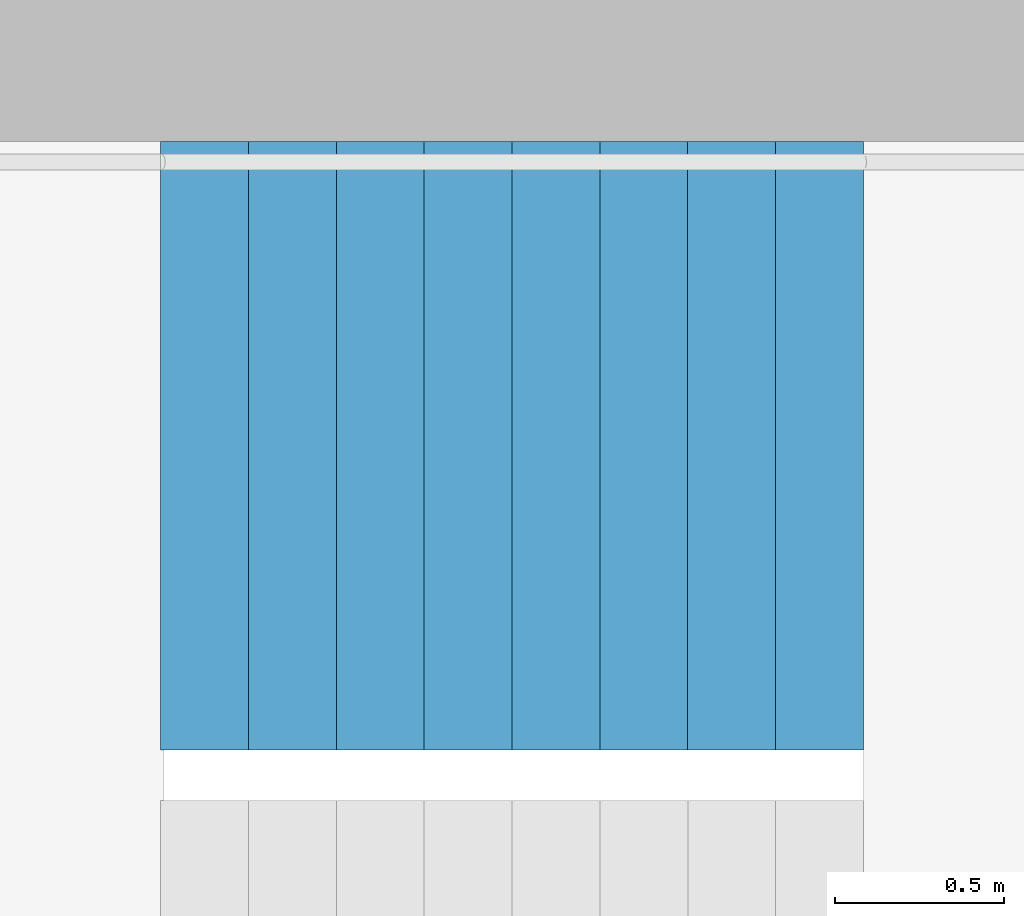
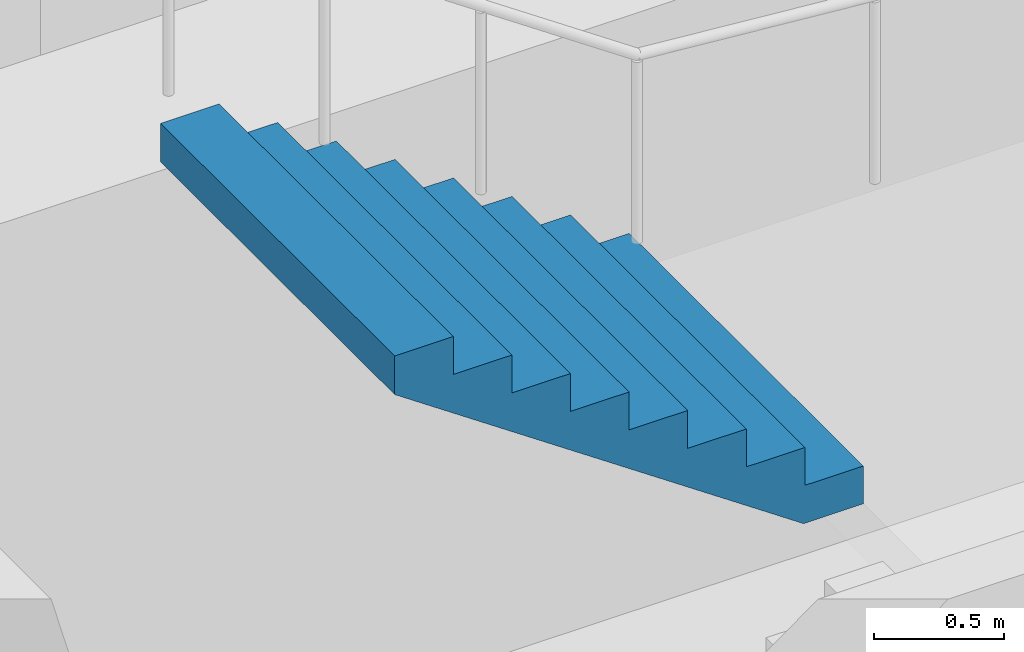
# One storey, part 23 of 35: 1 stair flight, 1 element without a shape of its own.
"""IFC4 building model written with IfcOpenShell, lengths in metres."""

from ifc_helpers import new_model, si_unit, direction, frame, origin, place, context, subcontext, project, spatial, triangles, material, type_object, element, aggregate, save


model = new_model("IFC4")

# Units and contexts
model_context = context("Model", 3, precision=1e-05, world=origin(), true_north=direction((0.0, 1.0)))
body_context = subcontext(model_context, "Body", "Model", "MODEL_VIEW")
ifc_project = project(units=[si_unit("LENGTHUNIT", "METRE"), si_unit("AREAUNIT", "SQUARE_METRE"), si_unit("VOLUMEUNIT", "CUBIC_METRE"), si_unit("PLANEANGLEUNIT", "RADIAN"), si_unit("MASSUNIT", "GRAM", prefix="KILO")], contexts=[model_context])

# Site, building, storey
site_placement = place(None, origin())
site = spatial("IfcSite", under=ifc_project, at=site_placement, CompositionType="ELEMENT")
building_placement = place(site_placement, origin())
building = spatial("IfcBuilding", under=site, at=building_placement, Name="Hakoniwa Tower and Hamabe Station Hall", CompositionType="ELEMENT")
storey_placement = place(building_placement, frame((0.0, 0.0, 51.800048828125)))
storey = spatial("IfcBuildingStorey", under=building, at=storey_placement, Name="L14", CompositionType="ELEMENT", Elevation=51.800048828125)

# Stair, stair flight
ifc_material_1 = material(Name="Concrete C40", Category="concrete")
stair_type = type_object("IfcStairType", Name="ESCAPE STAIR 1800", PredefinedType="HALF_TURN_STAIR", material=ifc_material_1)
stair_placement = place(storey_placement, origin())
stair = element("IfcStair", 1, at=stair_placement, inside=storey, type_object=stair_type, Name="Escape stair ST-1 L14", PredefinedType="HALF_TURN_STAIR")
ifc_material_2 = material(Name="Concrete C40", Category="concrete")
stair_flight_type = type_object("IfcStairFlightType", Name="STAIR FLIGHT 1800", PredefinedType="STRAIGHT", material=ifc_material_2)
stair_flight_placement = place(storey_placement, frame((-22.320068359375, 6.60009765625, 1.599853515625), z_axis=(0.0, 0.0, 1.0), x_axis=(-1.0, 0.0, 0.0)))
stair_flight = element("IfcStairFlight", 2, at=stair_flight_placement, type_object=stair_flight_type, Name="ST-1 flight 2", NumberOfRisers=9, NumberOfTreads=8, PredefinedType="STRAIGHT", RiserHeight=0.177777778, TreadLength=0.26, context=body_context, shape_type="Tessellation", body=[
    triangles([(0.0, 0.89990234375, 0.0), (0.260009765625, 0.89990234375, 0.0), (0.265625, 0.89990234375, 0.0), (0.52001953125, 0.89990234375, 0.174072265625), (0.780029296875, 0.89990234375, 0.351806640625), (1.0400390625, 0.89990234375, 0.529541015625), (1.300048828125, 0.89990234375, 0.707275390625), (1.56005859375, 0.89990234375, 0.885009765625), (1.820068359375, 0.89990234375, 1.062744140625), (2.080078125, 0.89990234375, 1.24072265625), (2.080078125, 0.89990234375, 1.422119140625), (1.820068359375, 0.89990234375, 1.422119140625), (1.820068359375, 0.89990234375, 1.244384765625), (1.56005859375, 0.89990234375, 1.244384765625), (1.56005859375, 0.89990234375, 1.066650390625), (1.300048828125, 0.89990234375, 1.066650390625), (1.300048828125, 0.89990234375, 0.888916015625), (1.0400390625, 0.89990234375, 0.888916015625), (1.0400390625, 0.89990234375, 0.711181640625), (0.780029296875, 0.89990234375, 0.711181640625), (0.780029296875, 0.89990234375, 0.533447265625), (0.52001953125, 0.89990234375, 0.533447265625), (0.52001953125, 0.89990234375, 0.35546875), (0.265625, 0.89990234375, 0.35546875), (0.260009765625, 0.89990234375, 0.35546875), (0.260009765625, 0.89990234375, 0.177734375), (0.0, 0.89990234375, 0.177734375), (0.0, 0.06005859375, 0.0), (0.260009765625, 0.06005859375, 0.0), (0.265625, 0.06005859375, 0.0), (0.52001953125, 0.06005859375, 0.174072265625), (0.780029296875, 0.06005859375, 0.351806640625), (1.0400390625, 0.06005859375, 0.529541015625), (1.300048828125, 0.06005859375, 0.707275390625), (1.56005859375, 0.06005859375, 0.885009765625), (1.820068359375, 0.06005859375, 1.062744140625), (2.080078125, 0.06005859375, 1.24072265625), (2.080078125, 0.06005859375, 1.422119140625), (1.820068359375, 0.06005859375, 1.422119140625), (1.820068359375, 0.06005859375, 1.244384765625), (1.56005859375, 0.06005859375, 1.244384765625), (1.56005859375, 0.06005859375, 1.066650390625), (1.300048828125, 0.06005859375, 1.066650390625), (1.300048828125, 0.06005859375, 0.888916015625), (1.0400390625, 0.06005859375, 0.888916015625), (1.0400390625, 0.06005859375, 0.711181640625), (0.780029296875, 0.06005859375, 0.711181640625), (0.780029296875, 0.06005859375, 0.533447265625), (0.52001953125, 0.06005859375, 0.533447265625), (0.52001953125, 0.06005859375, 0.35546875), (0.265625, 0.06005859375, 0.35546875), (0.260009765625, 0.06005859375, 0.35546875), (0.260009765625, 0.06005859375, 0.177734375), (0.0, 0.06005859375, 0.177734375), (0.0, 0.04296875, 0.0), (0.260009765625, 0.04296875, 0.0), (0.265625, 0.04296875, 0.0), (0.52001953125, 0.04296875, 0.174072265625), (0.780029296875, 0.04296875, 0.351806640625), (1.0400390625, 0.04296875, 0.529541015625), (1.300048828125, 0.04296875, 0.707275390625), (1.56005859375, 0.04296875, 0.885009765625), (1.820068359375, 0.04296875, 1.062744140625), (2.080078125, 0.04296875, 1.24072265625), (2.080078125, 0.04296875, 1.422119140625), (1.820068359375, 0.04296875, 1.422119140625), (1.820068359375, 0.04296875, 1.244384765625), (1.56005859375, 0.04296875, 1.244384765625), (1.56005859375, 0.04296875, 1.066650390625), (1.300048828125, 0.04296875, 1.066650390625), (1.300048828125, 0.04296875, 0.888916015625), (1.0400390625, 0.04296875, 0.888916015625), (1.0400390625, 0.04296875, 0.711181640625), (0.780029296875, 0.04296875, 0.711181640625), (0.780029296875, 0.04296875, 0.533447265625), (0.52001953125, 0.04296875, 0.533447265625), (0.52001953125, 0.04296875, 0.35546875), (0.265625, 0.04296875, 0.35546875), (0.260009765625, 0.04296875, 0.35546875), (0.260009765625, 0.04296875, 0.177734375), (0.0, 0.04296875, 0.177734375), (0.0, 0.025634765625, 0.0), (0.260009765625, 0.025634765625, 0.0), (0.265625, 0.025634765625, 0.0), (0.52001953125, 0.025634765625, 0.174072265625), (0.780029296875, 0.025634765625, 0.351806640625), (1.0400390625, 0.025634765625, 0.529541015625), (1.300048828125, 0.025634765625, 0.707275390625), (1.56005859375, 0.025634765625, 0.885009765625), (1.820068359375, 0.025634765625, 1.062744140625), (2.080078125, 0.025634765625, 1.24072265625), (2.080078125, 0.025634765625, 1.422119140625), (1.820068359375, 0.025634765625, 1.422119140625), (1.820068359375, 0.025634765625, 1.244384765625), (1.56005859375, 0.025634765625, 1.244384765625), (1.56005859375, 0.025634765625, 1.066650390625), (1.300048828125, 0.025634765625, 1.066650390625), (1.300048828125, 0.025634765625, 0.888916015625), (1.0400390625, 0.025634765625, 0.888916015625), (1.0400390625, 0.025634765625, 0.711181640625), (0.780029296875, 0.025634765625, 0.711181640625), (0.780029296875, 0.025634765625, 0.533447265625), (0.52001953125, 0.025634765625, 0.533447265625), (0.52001953125, 0.025634765625, 0.35546875), (0.265625, 0.025634765625, 0.35546875), (0.260009765625, 0.025634765625, 0.35546875), (0.260009765625, 0.025634765625, 0.177734375), (0.0, 0.025634765625, 0.177734375), (0.0, 0.008544921875, 0.0), (0.260009765625, 0.008544921875, 0.0), (0.265625, 0.008544921875, 0.0), (0.52001953125, 0.008544921875, 0.174072265625), (0.780029296875, 0.008544921875, 0.351806640625), (1.0400390625, 0.008544921875, 0.529541015625), (1.300048828125, 0.008544921875, 0.707275390625), (1.56005859375, 0.008544921875, 0.885009765625), (1.820068359375, 0.008544921875, 1.062744140625), (2.080078125, 0.008544921875, 1.24072265625), (2.080078125, 0.008544921875, 1.422119140625), (1.820068359375, 0.008544921875, 1.422119140625), (1.820068359375, 0.008544921875, 1.244384765625), (1.56005859375, 0.008544921875, 1.244384765625), (1.56005859375, 0.008544921875, 1.066650390625), (1.300048828125, 0.008544921875, 1.066650390625), (1.300048828125, 0.008544921875, 0.888916015625), (1.0400390625, 0.008544921875, 0.888916015625), (1.0400390625, 0.008544921875, 0.711181640625), (0.780029296875, 0.008544921875, 0.711181640625), (0.780029296875, 0.008544921875, 0.533447265625), (0.52001953125, 0.008544921875, 0.533447265625), (0.52001953125, 0.008544921875, 0.35546875), (0.265625, 0.008544921875, 0.35546875), (0.260009765625, 0.008544921875, 0.35546875), (0.260009765625, 0.008544921875, 0.177734375), (0.0, 0.008544921875, 0.177734375), (0.0, -0.008544921875, 0.0), (0.260009765625, -0.008544921875, 0.0), (0.265625, -0.008544921875, 0.0), (0.52001953125, -0.008544921875, 0.174072265625), (0.780029296875, -0.008544921875, 0.351806640625), (1.0400390625, -0.008544921875, 0.529541015625), (1.300048828125, -0.008544921875, 0.707275390625), (1.56005859375, -0.008544921875, 0.885009765625), (1.820068359375, -0.008544921875, 1.062744140625), (2.080078125, -0.008544921875, 1.24072265625), (2.080078125, -0.008544921875, 1.422119140625), (1.820068359375, -0.008544921875, 1.422119140625), (1.820068359375, -0.008544921875, 1.244384765625), (1.56005859375, -0.008544921875, 1.244384765625), (1.56005859375, -0.008544921875, 1.066650390625), (1.300048828125, -0.008544921875, 1.066650390625), (1.300048828125, -0.008544921875, 0.888916015625), (1.0400390625, -0.008544921875, 0.888916015625), (1.0400390625, -0.008544921875, 0.711181640625), (0.780029296875, -0.008544921875, 0.711181640625), (0.780029296875, -0.008544921875, 0.533447265625), (0.52001953125, -0.008544921875, 0.533447265625), (0.52001953125, -0.008544921875, 0.35546875), (0.265625, -0.008544921875, 0.35546875), (0.260009765625, -0.008544921875, 0.35546875), (0.260009765625, -0.008544921875, 0.177734375), (0.0, -0.008544921875, 0.177734375), (0.0, -0.025634765625, 0.0), (0.260009765625, -0.025634765625, 0.0), (0.265625, -0.025634765625, 0.0), (0.52001953125, -0.025634765625, 0.174072265625), (0.780029296875, -0.025634765625, 0.351806640625), (1.0400390625, -0.025634765625, 0.529541015625), (1.300048828125, -0.025634765625, 0.707275390625), (1.56005859375, -0.025634765625, 0.885009765625), (1.820068359375, -0.025634765625, 1.062744140625), (2.080078125, -0.025634765625, 1.24072265625), (2.080078125, -0.025634765625, 1.422119140625), (1.820068359375, -0.025634765625, 1.422119140625), (1.820068359375, -0.025634765625, 1.244384765625), (1.56005859375, -0.025634765625, 1.244384765625), (1.56005859375, -0.025634765625, 1.066650390625), (1.300048828125, -0.025634765625, 1.066650390625), (1.300048828125, -0.025634765625, 0.888916015625), (1.0400390625, -0.025634765625, 0.888916015625), (1.0400390625, -0.025634765625, 0.711181640625), (0.780029296875, -0.025634765625, 0.711181640625), (0.780029296875, -0.025634765625, 0.533447265625), (0.52001953125, -0.025634765625, 0.533447265625), (0.52001953125, -0.025634765625, 0.35546875), (0.265625, -0.025634765625, 0.35546875), (0.260009765625, -0.025634765625, 0.35546875), (0.260009765625, -0.025634765625, 0.177734375), (0.0, -0.025634765625, 0.177734375), (0.0, -0.04296875, 0.0), (0.260009765625, -0.04296875, 0.0), (0.265625, -0.04296875, 0.0), (0.52001953125, -0.04296875, 0.174072265625), (0.780029296875, -0.04296875, 0.351806640625), (1.0400390625, -0.04296875, 0.529541015625), (1.300048828125, -0.04296875, 0.707275390625), (1.56005859375, -0.04296875, 0.885009765625), (1.820068359375, -0.04296875, 1.062744140625), (2.080078125, -0.04296875, 1.24072265625), (2.080078125, -0.04296875, 1.422119140625), (1.820068359375, -0.04296875, 1.422119140625), (1.820068359375, -0.04296875, 1.244384765625), (1.56005859375, -0.04296875, 1.244384765625), (1.56005859375, -0.04296875, 1.066650390625), (1.300048828125, -0.04296875, 1.066650390625), (1.300048828125, -0.04296875, 0.888916015625), (1.0400390625, -0.04296875, 0.888916015625), (1.0400390625, -0.04296875, 0.711181640625), (0.780029296875, -0.04296875, 0.711181640625), (0.780029296875, -0.04296875, 0.533447265625), (0.52001953125, -0.04296875, 0.533447265625), (0.52001953125, -0.04296875, 0.35546875), (0.265625, -0.04296875, 0.35546875), (0.260009765625, -0.04296875, 0.35546875), (0.260009765625, -0.04296875, 0.177734375), (0.0, -0.04296875, 0.177734375), (0.0, -0.06005859375, 0.0), (0.260009765625, -0.06005859375, 0.0), (0.265625, -0.06005859375, 0.0), (0.52001953125, -0.06005859375, 0.174072265625), (0.780029296875, -0.06005859375, 0.351806640625), (1.0400390625, -0.06005859375, 0.529541015625), (1.300048828125, -0.06005859375, 0.707275390625), (1.56005859375, -0.06005859375, 0.885009765625), (1.820068359375, -0.06005859375, 1.062744140625), (2.080078125, -0.06005859375, 1.24072265625), (2.080078125, -0.06005859375, 1.422119140625), (1.820068359375, -0.06005859375, 1.422119140625), (1.820068359375, -0.06005859375, 1.244384765625), (1.56005859375, -0.06005859375, 1.244384765625), (1.56005859375, -0.06005859375, 1.066650390625), (1.300048828125, -0.06005859375, 1.066650390625), (1.300048828125, -0.06005859375, 0.888916015625), (1.0400390625, -0.06005859375, 0.888916015625), (1.0400390625, -0.06005859375, 0.711181640625), (0.780029296875, -0.06005859375, 0.711181640625), (0.780029296875, -0.06005859375, 0.533447265625), (0.52001953125, -0.06005859375, 0.533447265625), (0.52001953125, -0.06005859375, 0.35546875), (0.265625, -0.06005859375, 0.35546875), (0.260009765625, -0.06005859375, 0.35546875), (0.260009765625, -0.06005859375, 0.177734375), (0.0, -0.06005859375, 0.177734375), (0.0, -0.89990234375, 0.0), (0.260009765625, -0.89990234375, 0.0), (0.265625, -0.89990234375, 0.0), (0.52001953125, -0.89990234375, 0.174072265625), (0.780029296875, -0.89990234375, 0.351806640625), (1.0400390625, -0.89990234375, 0.529541015625), (1.300048828125, -0.89990234375, 0.707275390625), (1.56005859375, -0.89990234375, 0.885009765625), (1.820068359375, -0.89990234375, 1.062744140625), (2.080078125, -0.89990234375, 1.24072265625), (2.080078125, -0.89990234375, 1.422119140625), (1.820068359375, -0.89990234375, 1.422119140625), (1.820068359375, -0.89990234375, 1.244384765625), (1.56005859375, -0.89990234375, 1.244384765625), (1.56005859375, -0.89990234375, 1.066650390625), (1.300048828125, -0.89990234375, 1.066650390625), (1.300048828125, -0.89990234375, 0.888916015625), (1.0400390625, -0.89990234375, 0.888916015625), (1.0400390625, -0.89990234375, 0.711181640625), (0.780029296875, -0.89990234375, 0.711181640625), (0.780029296875, -0.89990234375, 0.533447265625), (0.52001953125, -0.89990234375, 0.533447265625), (0.52001953125, -0.89990234375, 0.35546875), (0.265625, -0.89990234375, 0.35546875), (0.260009765625, -0.89990234375, 0.35546875), (0.260009765625, -0.89990234375, 0.177734375), (0.0, -0.89990234375, 0.177734375)], [[2, 27, 26], [245, 269, 270], [2, 1, 27], [245, 270, 244], [3, 25, 24], [246, 267, 268], [3, 26, 25], [246, 268, 269], [3, 2, 26], [246, 269, 245], [4, 24, 23], [247, 266, 267], [4, 3, 24], [247, 267, 246], [5, 22, 21], [248, 264, 265], [5, 23, 22], [248, 265, 266], [5, 4, 23], [248, 266, 247], [6, 20, 19], [249, 262, 263], [6, 21, 20], [249, 263, 264], [6, 5, 21], [249, 264, 248], [7, 18, 17], [250, 260, 261], [7, 19, 18], [250, 261, 262], [7, 6, 19], [250, 262, 249], [8, 16, 15], [251, 258, 259], [8, 17, 16], [251, 259, 260], [8, 7, 17], [251, 260, 250], [9, 14, 13], [252, 256, 257], [9, 15, 14], [252, 257, 258], [9, 8, 15], [252, 258, 251], [10, 12, 11], [253, 254, 255], [10, 13, 12], [253, 255, 256], [10, 9, 13], [253, 256, 252], [1, 2, 29], [1, 29, 28], [28, 29, 56], [28, 56, 55], [55, 56, 83], [55, 83, 82], [82, 83, 110], [82, 110, 109], [109, 110, 137], [109, 137, 136], [136, 137, 164], [136, 164, 163], [163, 164, 191], [163, 191, 190], [190, 191, 218], [190, 218, 217], [217, 218, 245], [217, 245, 244], [2, 3, 30], [2, 30, 29], [29, 30, 57], [29, 57, 56], [56, 57, 84], [56, 84, 83], [83, 84, 111], [83, 111, 110], [110, 111, 138], [110, 138, 137], [137, 138, 165], [137, 165, 164], [164, 165, 192], [164, 192, 191], [191, 192, 219], [191, 219, 218], [218, 219, 246], [218, 246, 245], [3, 4, 31], [3, 31, 30], [30, 31, 58], [30, 58, 57], [57, 58, 85], [57, 85, 84], [84, 85, 112], [84, 112, 111], [111, 112, 139], [111, 139, 138], [138, 139, 166], [138, 166, 165], [165, 166, 193], [165, 193, 192], [192, 193, 220], [192, 220, 219], [219, 220, 247], [219, 247, 246], [4, 5, 32], [4, 32, 31], [31, 32, 59], [31, 59, 58], [58, 59, 86], [58, 86, 85], [85, 86, 113], [85, 113, 112], [112, 113, 140], [112, 140, 139], [139, 140, 167], [139, 167, 166], [166, 167, 194], [166, 194, 193], [193, 194, 221], [193, 221, 220], [220, 221, 248], [220, 248, 247], [5, 6, 33], [5, 33, 32], [32, 33, 60], [32, 60, 59], [59, 60, 87], [59, 87, 86], [86, 87, 114], [86, 114, 113], [113, 114, 141], [113, 141, 140], [140, 141, 168], [140, 168, 167], [167, 168, 195], [167, 195, 194], [194, 195, 222], [194, 222, 221], [221, 222, 249], [221, 249, 248], [6, 7, 34], [6, 34, 33], [33, 34, 61], [33, 61, 60], [60, 61, 88], [60, 88, 87], [87, 88, 115], [87, 115, 114], [114, 115, 142], [114, 142, 141], [141, 142, 169], [141, 169, 168], [168, 169, 196], [168, 196, 195], [195, 196, 223], [195, 223, 222], [222, 223, 250], [222, 250, 249], [7, 8, 35], [7, 35, 34], [34, 35, 62], [34, 62, 61], [61, 62, 89], [61, 89, 88], [88, 89, 116], [88, 116, 115], [115, 116, 143], [115, 143, 142], [142, 143, 170], [142, 170, 169], [169, 170, 197], [169, 197, 196], [196, 197, 224], [196, 224, 223], [223, 224, 251], [223, 251, 250], [8, 9, 36], [8, 36, 35], [35, 36, 63], [35, 63, 62], [62, 63, 90], [62, 90, 89], [89, 90, 117], [89, 117, 116], [116, 117, 144], [116, 144, 143], [143, 144, 171], [143, 171, 170], [170, 171, 198], [170, 198, 197], [197, 198, 225], [197, 225, 224], [224, 225, 252], [224, 252, 251], [9, 10, 37], [9, 37, 36], [36, 37, 64], [36, 64, 63], [63, 64, 91], [63, 91, 90], [90, 91, 118], [90, 118, 117], [117, 118, 145], [117, 145, 144], [144, 145, 172], [144, 172, 171], [171, 172, 199], [171, 199, 198], [198, 199, 226], [198, 226, 225], [225, 226, 253], [225, 253, 252], [10, 11, 38], [10, 38, 37], [37, 38, 65], [37, 65, 64], [64, 65, 92], [64, 92, 91], [91, 92, 119], [91, 119, 118], [118, 119, 146], [118, 146, 145], [145, 146, 173], [145, 173, 172], [172, 173, 200], [172, 200, 199], [199, 200, 227], [199, 227, 226], [226, 227, 254], [226, 254, 253], [11, 12, 39], [11, 39, 38], [38, 39, 66], [38, 66, 65], [65, 66, 93], [65, 93, 92], [92, 93, 120], [92, 120, 119], [119, 120, 147], [119, 147, 146], [146, 147, 174], [146, 174, 173], [173, 174, 201], [173, 201, 200], [200, 201, 228], [200, 228, 227], [227, 228, 255], [227, 255, 254], [12, 13, 40], [12, 40, 39], [39, 40, 67], [39, 67, 66], [66, 67, 94], [66, 94, 93], [93, 94, 121], [93, 121, 120], [120, 121, 148], [120, 148, 147], [147, 148, 175], [147, 175, 174], [174, 175, 202], [174, 202, 201], [201, 202, 229], [201, 229, 228], [228, 229, 256], [228, 256, 255], [13, 14, 41], [13, 41, 40], [40, 41, 68], [40, 68, 67], [67, 68, 95], [67, 95, 94], [94, 95, 122], [94, 122, 121], [121, 122, 149], [121, 149, 148], [148, 149, 176], [148, 176, 175], [175, 176, 203], [175, 203, 202], [202, 203, 230], [202, 230, 229], [229, 230, 257], [229, 257, 256], [14, 15, 42], [14, 42, 41], [41, 42, 69], [41, 69, 68], [68, 69, 96], [68, 96, 95], [95, 96, 123], [95, 123, 122], [122, 123, 150], [122, 150, 149], [149, 150, 177], [149, 177, 176], [176, 177, 204], [176, 204, 203], [203, 204, 231], [203, 231, 230], [230, 231, 258], [230, 258, 257], [15, 16, 43], [15, 43, 42], [42, 43, 70], [42, 70, 69], [69, 70, 97], [69, 97, 96], [96, 97, 124], [96, 124, 123], [123, 124, 151], [123, 151, 150], [150, 151, 178], [150, 178, 177], [177, 178, 205], [177, 205, 204], [204, 205, 232], [204, 232, 231], [231, 232, 259], [231, 259, 258], [16, 17, 44], [16, 44, 43], [43, 44, 71], [43, 71, 70], [70, 71, 98], [70, 98, 97], [97, 98, 125], [97, 125, 124], [124, 125, 152], [124, 152, 151], [151, 152, 179], [151, 179, 178], [178, 179, 206], [178, 206, 205], [205, 206, 233], [205, 233, 232], [232, 233, 260], [232, 260, 259], [17, 18, 45], [17, 45, 44], [44, 45, 72], [44, 72, 71], [71, 72, 99], [71, 99, 98], [98, 99, 126], [98, 126, 125], [125, 126, 153], [125, 153, 152], [152, 153, 180], [152, 180, 179], [179, 180, 207], [179, 207, 206], [206, 207, 234], [206, 234, 233], [233, 234, 261], [233, 261, 260], [18, 19, 46], [18, 46, 45], [45, 46, 73], [45, 73, 72], [72, 73, 100], [72, 100, 99], [99, 100, 127], [99, 127, 126], [126, 127, 154], [126, 154, 153], [153, 154, 181], [153, 181, 180], [180, 181, 208], [180, 208, 207], [207, 208, 235], [207, 235, 234], [234, 235, 262], [234, 262, 261], [19, 20, 47], [19, 47, 46], [46, 47, 74], [46, 74, 73], [73, 74, 101], [73, 101, 100], [100, 101, 128], [100, 128, 127], [127, 128, 155], [127, 155, 154], [154, 155, 182], [154, 182, 181], [181, 182, 209], [181, 209, 208], [208, 209, 236], [208, 236, 235], [235, 236, 263], [235, 263, 262], [20, 21, 48], [20, 48, 47], [47, 48, 75], [47, 75, 74], [74, 75, 102], [74, 102, 101], [101, 102, 129], [101, 129, 128], [128, 129, 156], [128, 156, 155], [155, 156, 183], [155, 183, 182], [182, 183, 210], [182, 210, 209], [209, 210, 237], [209, 237, 236], [236, 237, 264], [236, 264, 263], [21, 22, 49], [21, 49, 48], [48, 49, 76], [48, 76, 75], [75, 76, 103], [75, 103, 102], [102, 103, 130], [102, 130, 129], [129, 130, 157], [129, 157, 156], [156, 157, 184], [156, 184, 183], [183, 184, 211], [183, 211, 210], [210, 211, 238], [210, 238, 237], [237, 238, 265], [237, 265, 264], [22, 23, 50], [22, 50, 49], [49, 50, 77], [49, 77, 76], [76, 77, 104], [76, 104, 103], [103, 104, 131], [103, 131, 130], [130, 131, 158], [130, 158, 157], [157, 158, 185], [157, 185, 184], [184, 185, 212], [184, 212, 211], [211, 212, 239], [211, 239, 238], [238, 239, 266], [238, 266, 265], [23, 24, 51], [23, 51, 50], [50, 51, 78], [50, 78, 77], [77, 78, 105], [77, 105, 104], [104, 105, 132], [104, 132, 131], [131, 132, 159], [131, 159, 158], [158, 159, 186], [158, 186, 185], [185, 186, 213], [185, 213, 212], [212, 213, 240], [212, 240, 239], [239, 240, 267], [239, 267, 266], [24, 25, 52], [24, 52, 51], [51, 52, 79], [51, 79, 78], [78, 79, 106], [78, 106, 105], [105, 106, 133], [105, 133, 132], [132, 133, 160], [132, 160, 159], [159, 160, 187], [159, 187, 186], [186, 187, 214], [186, 214, 213], [213, 214, 241], [213, 241, 240], [240, 241, 268], [240, 268, 267], [25, 26, 53], [25, 53, 52], [52, 53, 80], [52, 80, 79], [79, 80, 107], [79, 107, 106], [106, 107, 134], [106, 134, 133], [133, 134, 161], [133, 161, 160], [160, 161, 188], [160, 188, 187], [187, 188, 215], [187, 215, 214], [214, 215, 242], [214, 242, 241], [241, 242, 269], [241, 269, 268], [26, 27, 54], [26, 54, 53], [53, 54, 81], [53, 81, 80], [80, 81, 108], [80, 108, 107], [107, 108, 135], [107, 135, 134], [134, 135, 162], [134, 162, 161], [161, 162, 189], [161, 189, 188], [188, 189, 216], [188, 216, 215], [215, 216, 243], [215, 243, 242], [242, 243, 270], [242, 270, 269], [27, 1, 28], [27, 28, 54], [54, 28, 55], [54, 55, 81], [81, 55, 82], [81, 82, 108], [108, 82, 109], [108, 109, 135], [135, 109, 136], [135, 136, 162], [162, 136, 163], [162, 163, 189], [189, 163, 190], [189, 190, 216], [216, 190, 217], [216, 217, 243], [243, 217, 244], [243, 244, 270]], closed=True),
])
aggregate(stair, [stair_flight])

save(model, "model.ifc")
